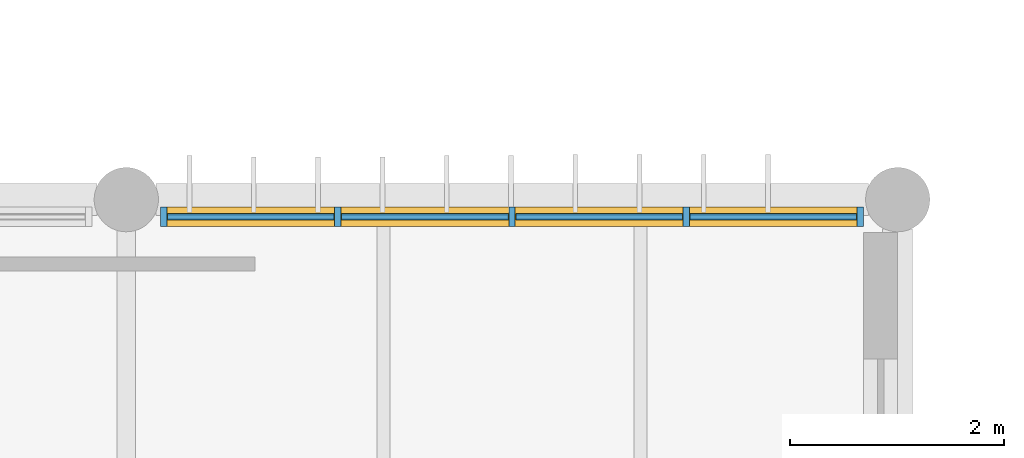
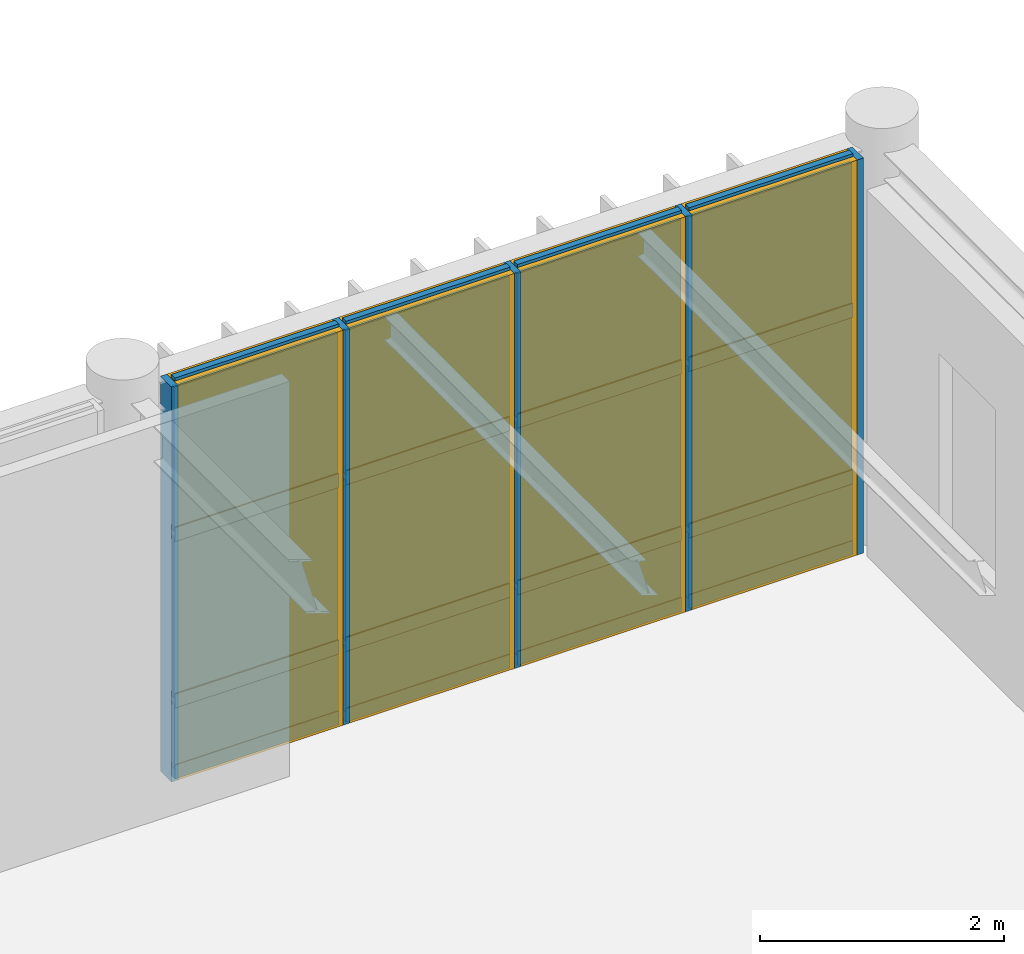
# One storey, part 81 of 104: 21 members, 12 plates, 1 curtain wall.
"""IFC4 building model written with IfcOpenShell, lengths in metres."""

import ifcopenshell
import ifcopenshell.guid

model = None  # the IFC model being written
_history = None  # IfcOwnerHistory: only IFC2X3 demands one
_inside = {}  # id of a spatial element -> (the spatial element, [elements in it])
_under = {}  # id of a project, library or spatial element -> (it, [spatial elements below it])
_declared = {}  # id of a project -> (the project, [libraries it declares])
_typed = {}  # id of a type object -> (the type object, [elements of that type])
_made_of = {}  # id of a material, layer set ... -> (it, [elements and type objects made of it])


def new_model(schema):
    """Start an empty IFC model of exactly this schema.

    Asked for "IFC4X3", IfcOpenShell would pick the latest addendum, in which some entities
    have other attributes; the version numbers below select the first issue.
    IFC2X3 requires an IfcOwnerHistory on every rooted entity: one is made here for all.
    """
    global model, _history
    if schema == "IFC4X3":
        model = ifcopenshell.file(schema_version=(4, 3, 0, 0))
    else:
        model = ifcopenshell.file(schema=schema)
    _inside.clear()
    _under.clear()
    _declared.clear()
    _typed.clear()
    _made_of.clear()
    _history = None
    if model.schema == "IFC2X3":
        org = make("IfcOrganization", Name="unknown")
        user = make(
            "IfcPersonAndOrganization",
            ThePerson=make("IfcPerson", FamilyName="unknown"),
            TheOrganization=org,
        )
        app = make(
            "IfcApplication",
            ApplicationDeveloper=org,
            Version="unknown",
            ApplicationFullName="unknown",
            ApplicationIdentifier="unknown",
        )
        _history = make(
            "IfcOwnerHistory",
            OwningUser=user,
            OwningApplication=app,
            ChangeAction="ADDED",
            CreationDate=0,
        )
    return model


def make(cls, **values):
    """One entity of the class cls with the attributes given. An attribute that is None is left unset."""
    return model.create_entity(
        cls, **{name: value for name, value in values.items() if value is not None}
    )


def rooted(cls, **values):
    """An entity with a GlobalId (a new one), such as an element, a storey or a relation."""
    return make(cls, GlobalId=ifcopenshell.guid.new(), OwnerHistory=_history, **values)


def si_unit(unit_type, name, prefix=None):
    """IfcSIUnit, for example si_unit("LENGTHUNIT", "METRE", prefix="MILLI")."""
    return make("IfcSIUnit", UnitType=unit_type, Prefix=prefix, Name=name)


def assignment(units):
    """IfcUnitAssignment: the units of a project."""
    return None if units is None else make("IfcUnitAssignment", Units=units)


def point(xyz):
    """IfcCartesianPoint."""
    return None if xyz is None else make("IfcCartesianPoint", Coordinates=xyz)


def direction(xyz):
    """IfcDirection."""
    return None if xyz is None else make("IfcDirection", DirectionRatios=xyz)


def frame(location, z_axis=None, x_axis=None):
    """IfcAxis2Placement3D, a coordinate frame: its origin and axes. An axis left out is left unset."""
    return make(
        "IfcAxis2Placement3D",
        Location=point(location),
        Axis=direction(z_axis),
        RefDirection=direction(x_axis),
    )


def frame_2d(location, x_axis=None):
    """IfcAxis2Placement2D, a coordinate frame in the plane: its origin and x axis."""
    return make(
        "IfcAxis2Placement2D", Location=point(location), RefDirection=direction(x_axis)
    )


def origin():
    """The frame at (0, 0, 0) with its axes left unset."""
    return frame((0.0, 0.0, 0.0))


def origin_2d():
    """The frame at (0, 0) in the plane with its x axis left unset."""
    return frame_2d((0.0, 0.0))


def place(relative_to, where):
    """IfcLocalPlacement: puts the frame where relative to a parent placement (None: the world)."""
    return make(
        "IfcLocalPlacement", PlacementRelTo=relative_to, RelativePlacement=where
    )


def context(
    kind, dimensions, precision=None, world=None, true_north=None, identifier=None
):
    """IfcGeometricRepresentationContext, for example the 3D "Model" context."""
    return make(
        "IfcGeometricRepresentationContext",
        ContextIdentifier=identifier,
        ContextType=kind,
        CoordinateSpaceDimension=dimensions,
        Precision=precision,
        WorldCoordinateSystem=world,
        TrueNorth=true_north,
    )


def subcontext(parent, identifier, kind, view, scale=None):
    """IfcGeometricRepresentationSubContext, for example "Body" below "Model"."""
    return make(
        "IfcGeometricRepresentationSubContext",
        ContextIdentifier=identifier,
        ContextType=kind,
        ParentContext=parent,
        TargetScale=scale,
        TargetView=view,
    )


def project(units=None, contexts=None):
    """IfcProject with its units and contexts."""
    return rooted(
        "IfcProject",
        Name="project",
        RepresentationContexts=contexts,
        UnitsInContext=assignment(units),
    )


def spatial(cls, under=None, at=None, **own):
    """A site, building, storey or space (cls), placed at a placement, below another one or the project."""
    s = rooted(cls, ObjectPlacement=at, **own)
    if under is not None:
        _under.setdefault(under.id(), (under, []))[1].append(s)
    return s


def profile(cls, at=None, kind="AREA", **sizes):
    """A parametric profile (cls). Its sizes go by their IFC names, for example OverallWidth=200.0."""
    return make(cls, ProfileType=kind, Position=at, **sizes)


def rectangle(**sizes):
    """IfcRectangleProfileDef."""
    return profile("IfcRectangleProfileDef", **sizes)


def extrude(swept, where, along, depth):
    """IfcExtrudedAreaSolid: the profile swept, set in the frame where, extruded along a direction by depth."""
    return make(
        "IfcExtrudedAreaSolid",
        SweptArea=swept,
        Position=where,
        ExtrudedDirection=direction(along),
        Depth=depth,
    )


def shape(context_of_items, identifier, shape_type, items):
    """IfcShapeRepresentation: the items that make up one representation, for example the "Body"."""
    return make(
        "IfcShapeRepresentation",
        ContextOfItems=context_of_items,
        RepresentationIdentifier=identifier,
        RepresentationType=shape_type,
        Items=items,
    )


def material(Name=None, Category=None):
    """IfcMaterial."""
    return make("IfcMaterial", Name=Name, Category=Category)


def layer(
    of_material, thickness, ventilated=None, Name=None, Category=None, Priority=None
):
    """IfcMaterialLayer: one layer of a wall or slab, of a material (None: an air gap)."""
    return make(
        "IfcMaterialLayer",
        Material=of_material,
        LayerThickness=thickness,
        IsVentilated=ventilated,
        Name=Name,
        Category=Category,
        Priority=Priority,
    )


def layer_set(layers, Name=None):
    """IfcMaterialLayerSet."""
    return make("IfcMaterialLayerSet", MaterialLayers=layers, LayerSetName=Name)


def material_profile(
    of_material, cross_section, Name=None, Category=None, Priority=None
):
    """IfcMaterialProfile: a cross section and its material."""
    return make(
        "IfcMaterialProfile",
        Name=Name,
        Material=of_material,
        Profile=cross_section,
        Priority=Priority,
        Category=Category,
    )


def profile_set(profiles, Name=None, composite=None):
    """IfcMaterialProfileSet."""
    return make(
        "IfcMaterialProfileSet",
        Name=Name,
        MaterialProfiles=profiles,
        CompositeProfile=composite,
    )


def made_of(thing, what):
    """Note that an element or type object is made of a material, layer set ...; save() writes the relation."""
    if what is not None:
        _made_of.setdefault(what.id(), (what, []))[1].append(thing)
    return thing


def type_object(cls, material=None, **own):
    """A type object (cls), such as IfcWallType, which elements share."""
    return made_of(rooted(cls, **own), material)


def element(
    cls,
    number,
    at=None,
    inside=None,
    cuts=None,
    type_object=None,
    material=None,
    context=None,
    identifier="Body",
    shape_type=None,
    held_by="IfcProductDefinitionShape",
    body=None,
    shapes=None,
    **own,
):
    """One element of the class cls, such as IfcWall. Its Tag is "e" and its number.

    at: its placement. inside: the storey or other place that contains it. cuts: it is an
    opening in that element (IfcRelVoidsElement). A single representation is given by context,
    identifier, shape_type and body (its items); several are given by shapes. held_by: the class
    of the entity that holds the representations. save() writes the other relations.
    """
    e = rooted(cls, Tag="e%d" % number, ObjectPlacement=at, **own)
    if body is not None:
        shapes = [shape(context, identifier, shape_type, body)]
    if shapes is not None:
        e.Representation = make(held_by, Representations=shapes)
    if inside is not None:
        _inside.setdefault(inside.id(), (inside, []))[1].append(e)
    if cuts is not None:
        rooted(
            "IfcRelVoidsElement", RelatingBuildingElement=cuts, RelatedOpeningElement=e
        )
    if type_object is not None:
        _typed.setdefault(type_object.id(), (type_object, []))[1].append(e)
    return made_of(e, material)


def aggregate(whole, parts):
    """IfcRelAggregates: a whole, such as a stair, and the parts it consists of."""
    return rooted("IfcRelAggregates", RelatingObject=whole, RelatedObjects=parts)


def save(model, path):
    """Write the relations noted so far, then the file.

    IfcRelAggregates (storeys below a building ...), IfcRelContainedInSpatialStructure (elements
    in a storey), IfcRelDefinesByType, IfcRelAssociatesMaterial and IfcRelDeclares: one each for
    every whole, place, type object, material and project.
    """
    for whole, parts in _under.values():
        aggregate(whole, parts)
    for where, things in _inside.values():
        rooted(
            "IfcRelContainedInSpatialStructure",
            RelatedElements=things,
            RelatingStructure=where,
        )
    for kind, things in _typed.values():
        rooted("IfcRelDefinesByType", RelatedObjects=things, RelatingType=kind)
    for what, things in _made_of.values():
        rooted("IfcRelAssociatesMaterial", RelatedObjects=things, RelatingMaterial=what)
    for by, libraries in _declared.values():
        rooted("IfcRelDeclares", RelatingContext=by, RelatedDefinitions=libraries)
    model.write(path)


model = new_model("IFC4")

# Units and contexts
model_context = context("Model", 3, precision=1e-05, world=origin(), true_north=direction((0.0, 1.0)))
body_context = subcontext(model_context, "Body", "Model", "MODEL_VIEW")
ifc_project = project(units=[si_unit("LENGTHUNIT", "METRE"), si_unit("AREAUNIT", "SQUARE_METRE"), si_unit("VOLUMEUNIT", "CUBIC_METRE"), si_unit("PLANEANGLEUNIT", "RADIAN"), si_unit("MASSUNIT", "GRAM", prefix="KILO")], contexts=[model_context])

# Member
ifc_material_1 = material(Name="Anodised Bronze Aluminium 6063-T6", Category="aluminium")
ifc_material_profile_1 = material_profile(ifc_material_1, rectangle(XDim=0.06005859375, YDim=0.179931640625, at=origin_2d()), Name="ALU MULLION 60x180")
ifc_profile_set_1 = profile_set([ifc_material_profile_1], Name="Anodised Bronze Aluminium 6063-T6")
member_type_1 = type_object("IfcMemberType", Name="Curtain-Wall Primary Mullion 60x180", PredefinedType="MULLION", material=ifc_profile_set_1)
site_placement = place(None, origin())
building_placement = place(site_placement, origin())
storey_placement = place(building_placement, frame((0.0, 0.0, 9.0)))
member_1_placement = place(storey_placement, frame((110.14990234375, 30.0400390625, 0.0), z_axis=(0.0, 0.0, 1.0), x_axis=(1.0, 0.0, 0.0)))
member_1 = element("IfcMember", 1, at=member_1_placement, type_object=member_type_1, Name="Mullion CWM-01 CW-V5-NRET-E-L02-B3-M01", PredefinedType="MULLION", context=body_context, shape_type="SweptSolid", body=[
    extrude(rectangle(XDim=0.06005859375, YDim=0.179931640625, at=origin_2d()), origin(), (0.0, 0.0, 1.0), 3.9599609375),
])

member_2_placement = place(storey_placement, frame((111.77490234375, 30.0400390625, 0.0), z_axis=(0.0, 0.0, 1.0), x_axis=(1.0, 0.0, 0.0)))
member_2 = element("IfcMember", 2, at=member_2_placement, type_object=member_type_1, Name="Mullion CWM-01 CW-V5-NRET-E-L02-B3-M02", PredefinedType="MULLION", context=body_context, shape_type="SweptSolid", body=[
    extrude(rectangle(XDim=0.06005859375, YDim=0.179931640625, at=origin_2d()), origin(), (0.0, 0.0, 1.0), 3.9599609375),
])

member_3_placement = place(storey_placement, frame((113.39990234375, 30.0400390625, 0.0), z_axis=(0.0, 0.0, 1.0), x_axis=(1.0, 0.0, 0.0)))
member_3 = element("IfcMember", 3, at=member_3_placement, type_object=member_type_1, Name="Mullion CWM-01 CW-V5-NRET-E-L02-B3-M03", PredefinedType="MULLION", context=body_context, shape_type="SweptSolid", body=[
    extrude(rectangle(XDim=0.06005859375, YDim=0.179931640625, at=origin_2d()), origin(), (0.0, 0.0, 1.0), 3.9599609375),
])

member_4_placement = place(storey_placement, frame((115.02490234375, 30.0400390625, 0.0), z_axis=(0.0, 0.0, 1.0), x_axis=(1.0, 0.0, 0.0)))
member_4 = element("IfcMember", 4, at=member_4_placement, type_object=member_type_1, Name="Mullion CWM-01 CW-V5-NRET-E-L02-B3-M04", PredefinedType="MULLION", context=body_context, shape_type="SweptSolid", body=[
    extrude(rectangle(XDim=0.06005859375, YDim=0.179931640625, at=origin_2d()), origin(), (0.0, 0.0, 1.0), 3.9599609375),
])

member_5_placement = place(storey_placement, frame((116.64990234375, 30.0400390625, 0.0), z_axis=(0.0, 0.0, 1.0), x_axis=(1.0, 0.0, 0.0)))
member_5 = element("IfcMember", 5, at=member_5_placement, type_object=member_type_1, Name="Mullion CWM-01 CW-V5-NRET-E-L02-B3-M05", PredefinedType="MULLION", context=body_context, shape_type="SweptSolid", body=[
    extrude(rectangle(XDim=0.06005859375, YDim=0.179931640625, at=origin_2d()), origin(), (0.0, 0.0, 1.0), 3.9599609375),
])

ifc_material_profile_2 = material_profile(ifc_material_1, rectangle(XDim=0.06005859375, YDim=0.139892578125, at=origin_2d()), Name="ALU TRANSOM 60x140")
ifc_profile_set_2 = profile_set([ifc_material_profile_2], Name="Anodised Bronze Aluminium 6063-T6")
member_type_2 = type_object("IfcMemberType", Name="Curtain-Wall Transom 60x140", PredefinedType="USERDEFINED", material=ifc_profile_set_2)
member_6_placement = place(storey_placement, frame((110.18505859375, 30.0400390625, 0.0400390625), z_axis=(1.0, 0.0, 0.0), x_axis=(0.0, 1.0, 0.0)))
member_6 = element("IfcMember", 6, at=member_6_placement, type_object=member_type_2, Name="Transom CWT-01 CW-V5-NRET-E-L02-B3-T01.1", ObjectType="TRANSOM", PredefinedType="USERDEFINED", context=body_context, shape_type="SweptSolid", body=[
    extrude(rectangle(XDim=0.06005859375, YDim=0.139892578125, at=origin_2d()), origin(), (0.0, 0.0, 1.0), 1.554931640625),
])

member_7_placement = place(storey_placement, frame((110.18505859375, 30.0400390625, 0.75), z_axis=(1.0, 0.0, 0.0), x_axis=(0.0, 1.0, 0.0)))
member_7 = element("IfcMember", 7, at=member_7_placement, type_object=member_type_2, Name="Transom CWT-01 CW-V5-NRET-E-L02-B3-T01.2", ObjectType="TRANSOM", PredefinedType="USERDEFINED", context=body_context, shape_type="SweptSolid", body=[
    extrude(rectangle(XDim=0.06005859375, YDim=0.139892578125, at=origin_2d()), origin(), (0.0, 0.0, 1.0), 1.554931640625),
])

member_8_placement = place(storey_placement, frame((110.18505859375, 30.0400390625, 2.419189453125), z_axis=(1.0, 0.0, 0.0), x_axis=(0.0, 1.0, 0.0)))
member_8 = element("IfcMember", 8, at=member_8_placement, type_object=member_type_2, Name="Transom CWT-01 CW-V5-NRET-E-L02-B3-T01.3", ObjectType="TRANSOM", PredefinedType="USERDEFINED", context=body_context, shape_type="SweptSolid", body=[
    extrude(rectangle(XDim=0.06005859375, YDim=0.139892578125, at=origin_2d()), origin(), (0.0, 0.0, 1.0), 1.554931640625),
])

member_9_placement = place(storey_placement, frame((110.18505859375, 30.0400390625, 3.919921875), z_axis=(1.0, 0.0, 0.0), x_axis=(0.0, 1.0, 0.0)))
member_9 = element("IfcMember", 9, at=member_9_placement, type_object=member_type_2, Name="Transom CWT-01 CW-V5-NRET-E-L02-B3-T01.4", ObjectType="TRANSOM", PredefinedType="USERDEFINED", context=body_context, shape_type="SweptSolid", body=[
    extrude(rectangle(XDim=0.06005859375, YDim=0.139892578125, at=origin_2d()), origin(), (0.0, 0.0, 1.0), 1.554931640625),
])

member_10_placement = place(storey_placement, frame((111.81005859375, 30.0400390625, 0.0400390625), z_axis=(1.0, 0.0, 0.0), x_axis=(0.0, 1.0, 0.0)))
member_10 = element("IfcMember", 10, at=member_10_placement, type_object=member_type_2, Name="Transom CWT-01 CW-V5-NRET-E-L02-B3-T02.1", ObjectType="TRANSOM", PredefinedType="USERDEFINED", context=body_context, shape_type="SweptSolid", body=[
    extrude(rectangle(XDim=0.06005859375, YDim=0.139892578125, at=origin_2d()), origin(), (0.0, 0.0, 1.0), 1.554931640625),
])

member_11_placement = place(storey_placement, frame((111.81005859375, 30.0400390625, 0.75), z_axis=(1.0, 0.0, 0.0), x_axis=(0.0, 1.0, 0.0)))
member_11 = element("IfcMember", 11, at=member_11_placement, type_object=member_type_2, Name="Transom CWT-01 CW-V5-NRET-E-L02-B3-T02.2", ObjectType="TRANSOM", PredefinedType="USERDEFINED", context=body_context, shape_type="SweptSolid", body=[
    extrude(rectangle(XDim=0.06005859375, YDim=0.139892578125, at=origin_2d()), origin(), (0.0, 0.0, 1.0), 1.554931640625),
])

member_12_placement = place(storey_placement, frame((111.81005859375, 30.0400390625, 2.419189453125), z_axis=(1.0, 0.0, 0.0), x_axis=(0.0, 1.0, 0.0)))
member_12 = element("IfcMember", 12, at=member_12_placement, type_object=member_type_2, Name="Transom CWT-01 CW-V5-NRET-E-L02-B3-T02.3", ObjectType="TRANSOM", PredefinedType="USERDEFINED", context=body_context, shape_type="SweptSolid", body=[
    extrude(rectangle(XDim=0.06005859375, YDim=0.139892578125, at=origin_2d()), origin(), (0.0, 0.0, 1.0), 1.554931640625),
])

member_13_placement = place(storey_placement, frame((111.81005859375, 30.0400390625, 3.919921875), z_axis=(1.0, 0.0, 0.0), x_axis=(0.0, 1.0, 0.0)))
member_13 = element("IfcMember", 13, at=member_13_placement, type_object=member_type_2, Name="Transom CWT-01 CW-V5-NRET-E-L02-B3-T02.4", ObjectType="TRANSOM", PredefinedType="USERDEFINED", context=body_context, shape_type="SweptSolid", body=[
    extrude(rectangle(XDim=0.06005859375, YDim=0.139892578125, at=origin_2d()), origin(), (0.0, 0.0, 1.0), 1.554931640625),
])

member_14_placement = place(storey_placement, frame((113.43505859375, 30.0400390625, 0.0400390625), z_axis=(1.0, 0.0, 0.0), x_axis=(0.0, 1.0, 0.0)))
member_14 = element("IfcMember", 14, at=member_14_placement, type_object=member_type_2, Name="Transom CWT-01 CW-V5-NRET-E-L02-B3-T03.1", ObjectType="TRANSOM", PredefinedType="USERDEFINED", context=body_context, shape_type="SweptSolid", body=[
    extrude(rectangle(XDim=0.06005859375, YDim=0.139892578125, at=origin_2d()), origin(), (0.0, 0.0, 1.0), 1.554931640625),
])

member_15_placement = place(storey_placement, frame((113.43505859375, 30.0400390625, 0.75), z_axis=(1.0, 0.0, 0.0), x_axis=(0.0, 1.0, 0.0)))
member_15 = element("IfcMember", 15, at=member_15_placement, type_object=member_type_2, Name="Transom CWT-01 CW-V5-NRET-E-L02-B3-T03.2", ObjectType="TRANSOM", PredefinedType="USERDEFINED", context=body_context, shape_type="SweptSolid", body=[
    extrude(rectangle(XDim=0.06005859375, YDim=0.139892578125, at=origin_2d()), origin(), (0.0, 0.0, 1.0), 1.554931640625),
])

member_16_placement = place(storey_placement, frame((113.43505859375, 30.0400390625, 2.419189453125), z_axis=(1.0, 0.0, 0.0), x_axis=(0.0, 1.0, 0.0)))
member_16 = element("IfcMember", 16, at=member_16_placement, type_object=member_type_2, Name="Transom CWT-01 CW-V5-NRET-E-L02-B3-T03.3", ObjectType="TRANSOM", PredefinedType="USERDEFINED", context=body_context, shape_type="SweptSolid", body=[
    extrude(rectangle(XDim=0.06005859375, YDim=0.139892578125, at=origin_2d()), origin(), (0.0, 0.0, 1.0), 1.554931640625),
])

member_17_placement = place(storey_placement, frame((113.43505859375, 30.0400390625, 3.919921875), z_axis=(1.0, 0.0, 0.0), x_axis=(0.0, 1.0, 0.0)))
member_17 = element("IfcMember", 17, at=member_17_placement, type_object=member_type_2, Name="Transom CWT-01 CW-V5-NRET-E-L02-B3-T03.4", ObjectType="TRANSOM", PredefinedType="USERDEFINED", context=body_context, shape_type="SweptSolid", body=[
    extrude(rectangle(XDim=0.06005859375, YDim=0.139892578125, at=origin_2d()), origin(), (0.0, 0.0, 1.0), 1.554931640625),
])

member_18_placement = place(storey_placement, frame((115.06005859375, 30.0400390625, 0.0400390625), z_axis=(1.0, 0.0, 0.0), x_axis=(0.0, 1.0, 0.0)))
member_18 = element("IfcMember", 18, at=member_18_placement, type_object=member_type_2, Name="Transom CWT-01 CW-V5-NRET-E-L02-B3-T04.1", ObjectType="TRANSOM", PredefinedType="USERDEFINED", context=body_context, shape_type="SweptSolid", body=[
    extrude(rectangle(XDim=0.06005859375, YDim=0.139892578125, at=origin_2d()), origin(), (0.0, 0.0, 1.0), 1.554931640625),
])

member_19_placement = place(storey_placement, frame((115.06005859375, 30.0400390625, 0.75), z_axis=(1.0, 0.0, 0.0), x_axis=(0.0, 1.0, 0.0)))
member_19 = element("IfcMember", 19, at=member_19_placement, type_object=member_type_2, Name="Transom CWT-01 CW-V5-NRET-E-L02-B3-T04.2", ObjectType="TRANSOM", PredefinedType="USERDEFINED", context=body_context, shape_type="SweptSolid", body=[
    extrude(rectangle(XDim=0.06005859375, YDim=0.139892578125, at=origin_2d()), origin(), (0.0, 0.0, 1.0), 1.554931640625),
])

member_20_placement = place(storey_placement, frame((115.06005859375, 30.0400390625, 2.419189453125), z_axis=(1.0, 0.0, 0.0), x_axis=(0.0, 1.0, 0.0)))
member_20 = element("IfcMember", 20, at=member_20_placement, type_object=member_type_2, Name="Transom CWT-01 CW-V5-NRET-E-L02-B3-T04.3", ObjectType="TRANSOM", PredefinedType="USERDEFINED", context=body_context, shape_type="SweptSolid", body=[
    extrude(rectangle(XDim=0.06005859375, YDim=0.139892578125, at=origin_2d()), origin(), (0.0, 0.0, 1.0), 1.554931640625),
])

member_21_placement = place(storey_placement, frame((115.06005859375, 30.0400390625, 3.919921875), z_axis=(1.0, 0.0, 0.0), x_axis=(0.0, 1.0, 0.0)))
member_21 = element("IfcMember", 21, at=member_21_placement, type_object=member_type_2, Name="Transom CWT-01 CW-V5-NRET-E-L02-B3-T04.4", ObjectType="TRANSOM", PredefinedType="USERDEFINED", context=body_context, shape_type="SweptSolid", body=[
    extrude(rectangle(XDim=0.06005859375, YDim=0.139892578125, at=origin_2d()), origin(), (0.0, 0.0, 1.0), 1.554931640625),
])

# Plate
ifc_material_2 = material(Name="Insulated Bronze Aluminium Spandrel Panel", Category="aluminium")
ifc_layer_1 = layer(ifc_material_2, 0.050048828125, Name="Insulated Bronze Aluminium Spandrel Panel")
ifc_layer_set_1 = layer_set([ifc_layer_1], Name="Insulated Bronze Aluminium Spandrel Panel")
plate_type_1 = type_object("IfcPlateType", Name="Insulated Anodised Aluminium Spandrel Cassette 50", PredefinedType="CURTAIN_PANEL", material=ifc_layer_set_1)
plate_1_placement = place(storey_placement, frame((110.96240234375, 30.0400390625, 0.070068359375), z_axis=(0.0, 0.0, 1.0), x_axis=(1.0, 0.0, 0.0)))
plate_1 = element("IfcPlate", 22, at=plate_1_placement, type_object=plate_type_1, Name="Curtain Panel CWP-03 CW-V5-NRET-E-L02-B3-P01.1", PredefinedType="CURTAIN_PANEL", context=body_context, shape_type="SweptSolid", body=[
    extrude(rectangle(XDim=1.554931640625, YDim=0.050048828125, at=origin_2d()), origin(), (0.0, 0.0, 1.0), 0.64990234375),
])

plate_2_placement = place(storey_placement, frame((112.58740234375, 30.0400390625, 0.070068359375), z_axis=(0.0, 0.0, 1.0), x_axis=(1.0, 0.0, 0.0)))
plate_2 = element("IfcPlate", 23, at=plate_2_placement, type_object=plate_type_1, Name="Curtain Panel CWP-03 CW-V5-NRET-E-L02-B3-P02.1", PredefinedType="CURTAIN_PANEL", context=body_context, shape_type="SweptSolid", body=[
    extrude(rectangle(XDim=1.554931640625, YDim=0.050048828125, at=origin_2d()), origin(), (0.0, 0.0, 1.0), 0.64990234375),
])

plate_3_placement = place(storey_placement, frame((114.21240234375, 30.0400390625, 0.070068359375), z_axis=(0.0, 0.0, 1.0), x_axis=(1.0, 0.0, 0.0)))
plate_3 = element("IfcPlate", 24, at=plate_3_placement, type_object=plate_type_1, Name="Curtain Panel CWP-03 CW-V5-NRET-E-L02-B3-P03.1", PredefinedType="CURTAIN_PANEL", context=body_context, shape_type="SweptSolid", body=[
    extrude(rectangle(XDim=1.554931640625, YDim=0.050048828125, at=origin_2d()), origin(), (0.0, 0.0, 1.0), 0.64990234375),
])

plate_4_placement = place(storey_placement, frame((115.83740234375, 30.0400390625, 0.070068359375), z_axis=(0.0, 0.0, 1.0), x_axis=(1.0, 0.0, 0.0)))
plate_4 = element("IfcPlate", 25, at=plate_4_placement, type_object=plate_type_1, Name="Curtain Panel CWP-03 CW-V5-NRET-E-L02-B3-P04.1", PredefinedType="CURTAIN_PANEL", context=body_context, shape_type="SweptSolid", body=[
    extrude(rectangle(XDim=1.554931640625, YDim=0.050048828125, at=origin_2d()), origin(), (0.0, 0.0, 1.0), 0.64990234375),
])

ifc_material_3 = material(Name="Solar-Control Tempered Double Glazing", Category="glass")
ifc_layer_2 = layer(ifc_material_3, 0.0380859375, Name="Solar-Control Tempered Double Glazing")
ifc_layer_set_2 = layer_set([ifc_layer_2], Name="Solar-Control Tempered Double Glazing")
plate_type_2 = type_object("IfcPlateType", Name="Solar-Control Vision Glazing Unit 38", PredefinedType="CURTAIN_PANEL", material=ifc_layer_set_2)
plate_5_placement = place(storey_placement, frame((110.96240234375, 30.0400390625, 0.7802734375), z_axis=(0.0, 0.0, 1.0), x_axis=(1.0, 0.0, 0.0)))
plate_5 = element("IfcPlate", 26, at=plate_5_placement, type_object=plate_type_2, Name="Curtain Panel CWP-02 CW-V5-NRET-E-L02-B3-P01.2", PredefinedType="CURTAIN_PANEL", context=body_context, shape_type="SweptSolid", body=[
    extrude(rectangle(XDim=1.554931640625, YDim=0.0380859375, at=origin_2d()), origin(), (0.0, 0.0, 1.0), 1.609130859375),
])

plate_6_placement = place(storey_placement, frame((110.96240234375, 30.0400390625, 2.44921875), z_axis=(0.0, 0.0, 1.0), x_axis=(1.0, 0.0, 0.0)))
plate_6 = element("IfcPlate", 27, at=plate_6_placement, type_object=plate_type_2, Name="Curtain Panel CWP-02 CW-V5-NRET-E-L02-B3-P01.3", PredefinedType="CURTAIN_PANEL", context=body_context, shape_type="SweptSolid", body=[
    extrude(rectangle(XDim=1.554931640625, YDim=0.0380859375, at=origin_2d()), origin(), (0.0, 0.0, 1.0), 1.44091796875),
])

plate_7_placement = place(storey_placement, frame((112.58740234375, 30.0400390625, 0.7802734375), z_axis=(0.0, 0.0, 1.0), x_axis=(1.0, 0.0, 0.0)))
plate_7 = element("IfcPlate", 28, at=plate_7_placement, type_object=plate_type_2, Name="Curtain Panel CWP-02 CW-V5-NRET-E-L02-B3-P02.2", PredefinedType="CURTAIN_PANEL", context=body_context, shape_type="SweptSolid", body=[
    extrude(rectangle(XDim=1.554931640625, YDim=0.0380859375, at=origin_2d()), origin(), (0.0, 0.0, 1.0), 1.609130859375),
])

plate_8_placement = place(storey_placement, frame((112.58740234375, 30.0400390625, 2.44921875), z_axis=(0.0, 0.0, 1.0), x_axis=(1.0, 0.0, 0.0)))
plate_8 = element("IfcPlate", 29, at=plate_8_placement, type_object=plate_type_2, Name="Curtain Panel CWP-02 CW-V5-NRET-E-L02-B3-P02.3", PredefinedType="CURTAIN_PANEL", context=body_context, shape_type="SweptSolid", body=[
    extrude(rectangle(XDim=1.554931640625, YDim=0.0380859375, at=origin_2d()), origin(), (0.0, 0.0, 1.0), 1.44091796875),
])

plate_9_placement = place(storey_placement, frame((114.21240234375, 30.0400390625, 0.7802734375), z_axis=(0.0, 0.0, 1.0), x_axis=(1.0, 0.0, 0.0)))
plate_9 = element("IfcPlate", 30, at=plate_9_placement, type_object=plate_type_2, Name="Curtain Panel CWP-02 CW-V5-NRET-E-L02-B3-P03.2", PredefinedType="CURTAIN_PANEL", context=body_context, shape_type="SweptSolid", body=[
    extrude(rectangle(XDim=1.554931640625, YDim=0.0380859375, at=origin_2d()), origin(), (0.0, 0.0, 1.0), 1.609130859375),
])

plate_10_placement = place(storey_placement, frame((114.21240234375, 30.0400390625, 2.44921875), z_axis=(0.0, 0.0, 1.0), x_axis=(1.0, 0.0, 0.0)))
plate_10 = element("IfcPlate", 31, at=plate_10_placement, type_object=plate_type_2, Name="Curtain Panel CWP-02 CW-V5-NRET-E-L02-B3-P03.3", PredefinedType="CURTAIN_PANEL", context=body_context, shape_type="SweptSolid", body=[
    extrude(rectangle(XDim=1.554931640625, YDim=0.0380859375, at=origin_2d()), origin(), (0.0, 0.0, 1.0), 1.44091796875),
])

plate_11_placement = place(storey_placement, frame((115.83740234375, 30.0400390625, 0.7802734375), z_axis=(0.0, 0.0, 1.0), x_axis=(1.0, 0.0, 0.0)))
plate_11 = element("IfcPlate", 32, at=plate_11_placement, type_object=plate_type_2, Name="Curtain Panel CWP-02 CW-V5-NRET-E-L02-B3-P04.2", PredefinedType="CURTAIN_PANEL", context=body_context, shape_type="SweptSolid", body=[
    extrude(rectangle(XDim=1.554931640625, YDim=0.0380859375, at=origin_2d()), origin(), (0.0, 0.0, 1.0), 1.609130859375),
])

plate_12_placement = place(storey_placement, frame((115.83740234375, 30.0400390625, 2.44921875), z_axis=(0.0, 0.0, 1.0), x_axis=(1.0, 0.0, 0.0)))
plate_12 = element("IfcPlate", 33, at=plate_12_placement, type_object=plate_type_2, Name="Curtain Panel CWP-02 CW-V5-NRET-E-L02-B3-P04.3", PredefinedType="CURTAIN_PANEL", context=body_context, shape_type="SweptSolid", body=[
    extrude(rectangle(XDim=1.554931640625, YDim=0.0380859375, at=origin_2d()), origin(), (0.0, 0.0, 1.0), 1.44091796875),
])

# Site, building, storey
site = spatial("IfcSite", under=ifc_project, at=site_placement, CompositionType="ELEMENT")
building = spatial("IfcBuilding", under=site, at=building_placement, Name="Tazoul Stagehouse", CompositionType="ELEMENT")
storey = spatial("IfcBuildingStorey", under=building, at=storey_placement, Name="L02", CompositionType="ELEMENT", Elevation=9.0)

# Curtain wall
curtain_wall_type = type_object("IfcCurtainWallType", Name="Foyer Clear Solar-Control Curtain Wall", PredefinedType="NOTDEFINED", material=ifc_material_1)
curtain_wall_placement = place(storey_placement, frame((110.14990234375, 30.0400390625, 0.0), z_axis=(0.0, 0.0, 1.0), x_axis=(1.0, 0.0, 0.0)))
curtain_wall = element("IfcCurtainWall", 34, at=curtain_wall_placement, inside=storey, type_object=curtain_wall_type, Name="L02 Curtain Wall CW-02 (CW-V5-NRET-E-L02-B3)", PredefinedType="NOTDEFINED", context=body_context, shape_type="SweptSolid", body=[
    extrude(rectangle(XDim=6.5, YDim=0.179931640625, at=frame_2d((3.25, 0.0))), origin(), (0.0, 0.0, 1.0), 3.9599609375),
])

aggregate(curtain_wall, [member_1, member_2, member_3, member_4, member_5, member_6, member_7, member_8, member_9, plate_1, plate_5, plate_6, member_10, member_11, member_12, member_13, plate_2, plate_7, plate_8, member_14, member_15, member_16, member_17, plate_3, plate_9, plate_10, member_18, member_19, member_20, member_21, plate_4, plate_11, plate_12])

save(model, "model.ifc")
